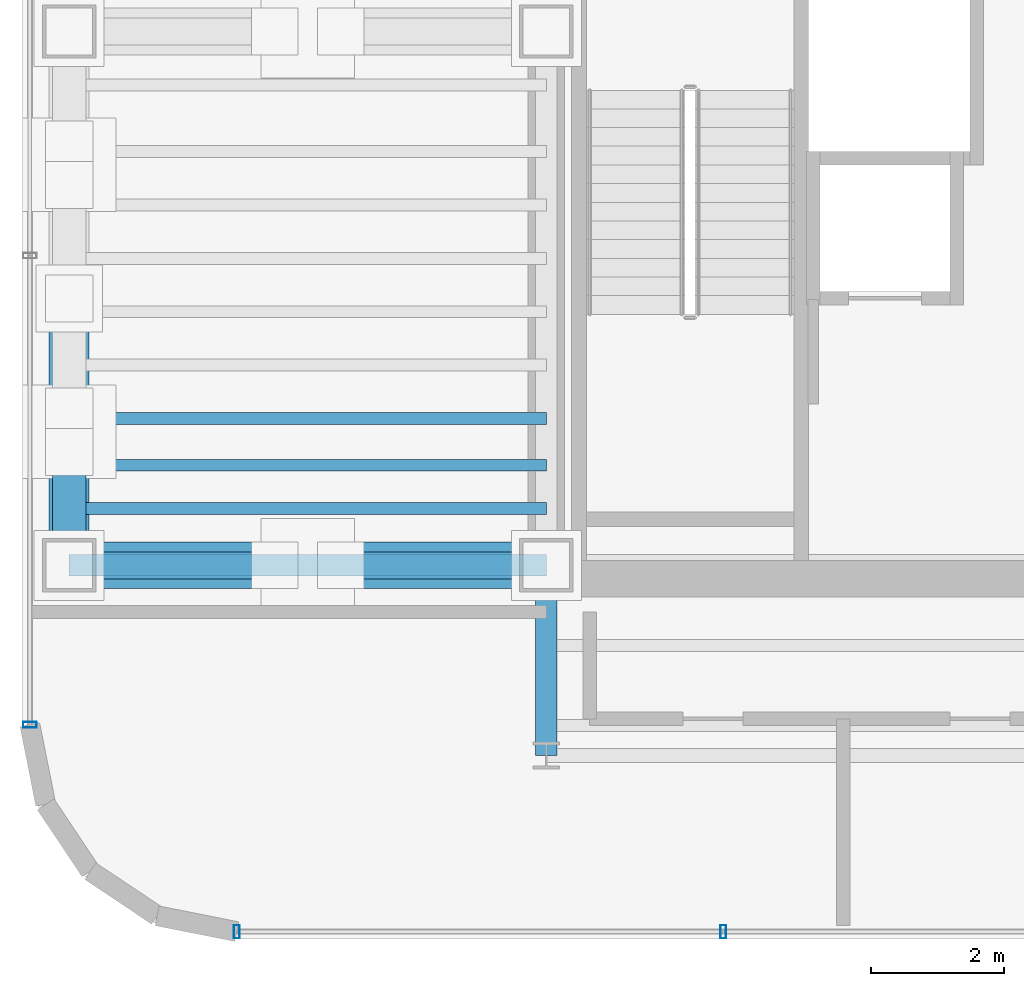
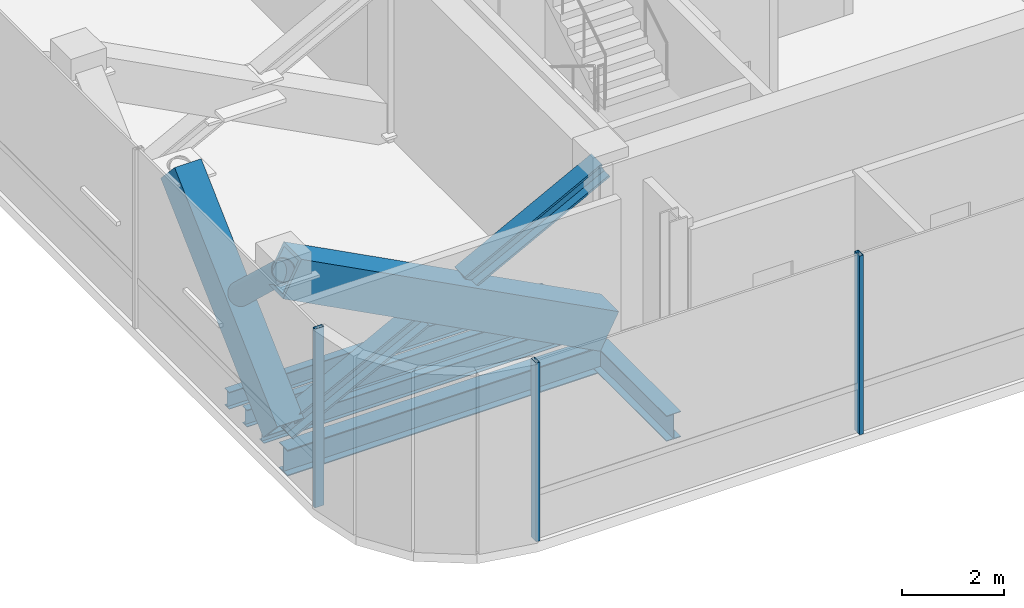
# One storey, part 2 of 19: 8 members, 5 beams, 2 elements without a shape of their own.
"""IFC4 building model written with IfcOpenShell, lengths in metres."""

from ifc_helpers import new_model, si_unit, direction, frame, origin, origin_2d, place, context, subcontext, project, spatial, hollow_rectangle, hollow_circle, i_section, extrude, source, transform, mapped, material, material_profile, profile_set, type_object, element, aggregate, save


model = new_model("IFC4")

# Units and contexts
model_context = context("Model", 3, precision=1e-05, world=origin(), true_north=direction((0.0, 1.0)))
body_context = subcontext(model_context, "Body", "Model", "MODEL_VIEW")
ifc_project = project(units=[si_unit("LENGTHUNIT", "METRE"), si_unit("AREAUNIT", "SQUARE_METRE"), si_unit("VOLUMEUNIT", "CUBIC_METRE"), si_unit("PLANEANGLEUNIT", "RADIAN"), si_unit("MASSUNIT", "GRAM", prefix="KILO")], contexts=[model_context])

# Site, building, storey
site_placement = place(None, origin())
site = spatial("IfcSite", under=ifc_project, at=site_placement, CompositionType="ELEMENT")
building_placement = place(site_placement, origin())
building = spatial("IfcBuilding", under=site, at=building_placement, Name="Valdorenza Pilgrim Sanctuary Tower", CompositionType="ELEMENT")
storey_placement = place(building_placement, frame((0.0, 0.0, 261.5)))
storey = spatial("IfcBuildingStorey", under=building, at=storey_placement, Name="L68", CompositionType="ELEMENT", Elevation=261.5)

# Beams
ifc_material_1 = material(Name="Steel ASTM A992 Grade 50", Category="steel")
ifc_material_profile_1 = material_profile(ifc_material_1, i_section(OverallWidth=0.323974609375, OverallDepth=0.611083984375, WebThickness=0.0126953125, FlangeThickness=0.01904296875, at=origin_2d()), Name="W24X104")
ifc_profile_set_1 = profile_set([ifc_material_profile_1], Name="Steel ASTM A992 Grade 50")
beam_type_1 = type_object("IfcBeamType", Name="STR-BM-GRD-W24B", PredefinedType="BEAM", material=ifc_profile_set_1)
shared_shape_1 = source(origin(), body_context, "Body", "SweptSolid", [
    extrude(i_section(OverallWidth=0.323974609375, OverallDepth=0.611083984375, WebThickness=0.0126953125, FlangeThickness=0.01904296875, at=origin_2d()), origin(), (0.0, 0.0, 1.0), 2.849853515625),
])
beam_1_placement = place(storey_placement, frame((-22.64990234375, -13.449951171875, -0.54541015625), z_axis=(0.0, 1.0, 0.0), x_axis=(-1.0, 0.0, 0.0)))
element("IfcBeam", 1, at=beam_1_placement, inside=storey, type_object=beam_type_1, Name="L68 Floor Girder WA-S-LW", PredefinedType="BEAM", context=body_context, shape_type="MappedRepresentation", body=[
    mapped(shared_shape_1, transform((0.0, 0.0, 0.0), x_axis=(1.0, 0.0, 0.0), y_axis=(0.0, 1.0, 0.0), z_axis=(0.0, 0.0, 1.0), scale=1.0)),
])
ifc_material_profile_2 = material_profile(ifc_material_1, i_section(OverallWidth=0.177978515625, OverallDepth=0.406005859375, WebThickness=0.0078125, FlangeThickness=0.0126953125, at=origin_2d()), Name="W16X40")
ifc_profile_set_2 = profile_set([ifc_material_profile_2], Name="Steel ASTM A992 Grade 50")
beam_type_2 = type_object("IfcBeamType", Name="STR-BM-JST-W16", PredefinedType="JOIST", material=ifc_profile_set_2)
shared_shape_2 = source(origin(), body_context, "Body", "SweptSolid", [
    extrude(i_section(OverallWidth=0.177978515625, OverallDepth=0.406005859375, WebThickness=0.0078125, FlangeThickness=0.0126953125, at=origin_2d()), origin(), (0.0, 0.0, 1.0), 7.150146484375),
])
for number, where, z_axis, x_axis, name in (
    (2, (-29.800048828125, -9.75, -0.443115234375), (1.0, 0.0, 0.0), (0.0, 1.0, 0.0), "L68 Composite Floor Joist JST-WA-1"),
    (3, (-29.800048828125, -9.10009765625, -0.443115234375), (1.0, 0.0, 0.0), (0.0, 1.0, 0.0), "L68 Composite Floor Joist JST-WA-2"),
    (4, (-29.800048828125, -8.39990234375, -0.443115234375), (1.0, 0.0, 0.0), (0.0, 1.0, 0.0), "L68 Composite Floor Joist JST-WA-3"),
):
    element("IfcBeam", number, at=place(storey_placement, frame(where, z_axis=z_axis, x_axis=x_axis)), inside=storey, type_object=beam_type_2, Name=name, PredefinedType="JOIST", context=body_context, shape_type="MappedRepresentation", body=[
        mapped(shared_shape_2, transform((0.0, 0.0, 0.0), x_axis=(1.0, 0.0, 0.0), y_axis=(0.0, 1.0, 0.0), z_axis=(0.0, 0.0, 1.0), scale=1.0)),
    ])
ifc_material_profile_3 = material_profile(ifc_material_1, i_section(OverallWidth=0.326904296875, OverallDepth=0.6220703125, WebThickness=0.015380859375, FlangeThickness=0.0244140625, at=origin_2d()), Name="W24X131")
ifc_profile_set_3 = profile_set([ifc_material_profile_3], Name="Steel ASTM A992 Grade 50")
beam_type_3 = type_object("IfcBeamType", Name="STR-BM-GRD-W24A", PredefinedType="BEAM", material=ifc_profile_set_3)
shared_shape_3 = source(origin(), body_context, "Body", "SweptSolid", [
    extrude(i_section(OverallWidth=0.326904296875, OverallDepth=0.6220703125, WebThickness=0.015380859375, FlangeThickness=0.0244140625, at=origin_2d()), origin(), (0.0, 0.0, 1.0), 7.150146484375),
])
beam_2_placement = place(storey_placement, frame((-29.800048828125, -10.60009765625, -0.551025390625), z_axis=(1.0, 0.0, 0.0), x_axis=(0.0, 1.0, 0.0)))
element("IfcBeam", 5, at=beam_2_placement, inside=storey, type_object=beam_type_3, Name="L68 Floor Girder WA-XW-S1", PredefinedType="BEAM", context=body_context, shape_type="MappedRepresentation", body=[
    mapped(shared_shape_3, transform((0.0, 0.0, 0.0), x_axis=(1.0, 0.0, 0.0), y_axis=(0.0, 1.0, 0.0), z_axis=(0.0, 0.0, 1.0), scale=1.0)),
])

# Members
ifc_material_2 = material(Name="Steel ASTM A572 Grade 42", Category="steel")
ifc_material_profile_4 = material_profile(ifc_material_2, hollow_rectangle(XDim=0.699951171875, YDim=0.89990234375, WallThickness=0.070068359375, at=origin_2d()), Name="BOX 900x700x70")
ifc_profile_set_4 = profile_set([ifc_material_profile_4], Name="Steel ASTM A572 Grade 42")
member_type_1 = type_object("IfcMemberType", Name="STR-MB-OUT-BOX900", PredefinedType="BRACE", material=ifc_profile_set_4)
shared_shape_4 = source(origin(), body_context, "Body", "SweptSolid", [
    extrude(hollow_rectangle(XDim=0.699951171875, YDim=0.89990234375, WallThickness=0.070068359375, at=origin_2d()), origin(), (0.0, 0.0, 1.0), 8.07373046875),
])
member_1_placement = place(storey_placement, frame((-22.64990234375, -10.60009765625, 0.199951171875), z_axis=(-0.885592900523, 0.0, 0.464462285384), x_axis=(0.0, -1.0, 0.0)))
element("IfcMember", 6, at=member_1_placement, inside=storey, type_object=member_type_1, Name="L68 Outrigger Truss Diagonal WA1A", PredefinedType="BRACE", context=body_context, shape_type="MappedRepresentation", body=[
    mapped(shared_shape_4, transform((0.0, 0.0, 0.0), x_axis=(1.0, 0.0, 0.0), y_axis=(0.0, 1.0, 0.0), z_axis=(0.0, 0.0, 1.0), scale=1.0)),
])
ifc_material_profile_5 = material_profile(ifc_material_1, i_section(OverallWidth=0.406005859375, OverallDepth=0.416015625, WebThickness=0.02978515625, FlangeThickness=0.048095703125, at=origin_2d()), Name="W14X257")
ifc_profile_set_5 = profile_set([ifc_material_profile_5], Name="Steel ASTM A992 Grade 50")
member_type_2 = type_object("IfcMemberType", Name="STR-MB-OUT-W257", PredefinedType="BRACE", material=ifc_profile_set_5)
shared_shape_5 = source(origin(), body_context, "Body", "SweptSolid", [
    extrude(i_section(OverallWidth=0.406005859375, OverallDepth=0.416015625, WebThickness=0.02978515625, FlangeThickness=0.048095703125, at=origin_2d()), origin(), (0.0, 0.0, 1.0), 3.47802734375),
])
for number, where, z_axis, x_axis, name in (
    (7, (-22.64990234375, -10.60009765625, 3.949951171875), (-0.885611600289, 0.0, -0.464426628687), (0.0, -1.0, 0.0), "L68 Outrigger Truss Counter-Diagonal WA1B Lower Segment"),
    (8, (-26.719970703125, -10.60009765625, 1.8154296875), (-0.885582727176, 0.0, -0.464481682445), (0.0, -1.0, 0.0), "L68 Outrigger Truss Counter-Diagonal WA1B Upper Segment"),
):
    element("IfcMember", number, at=place(storey_placement, frame(where, z_axis=z_axis, x_axis=x_axis)), inside=storey, type_object=member_type_2, Name=name, PredefinedType="BRACE", context=body_context, shape_type="MappedRepresentation", body=[
        mapped(shared_shape_5, transform((0.0, 0.0, 0.0), x_axis=(1.0, 0.0, 0.0), y_axis=(0.0, 1.0, 0.0), z_axis=(0.0, 0.0, 1.0), scale=1.0)),
    ])
ifc_material_profile_6 = material_profile(ifc_material_2, hollow_rectangle(XDim=0.60009765625, YDim=0.800048828125, WallThickness=0.06005859375, at=origin_2d()), Name="BOX 800x600x60")
ifc_profile_set_6 = profile_set([ifc_material_profile_6], Name="Steel ASTM A572 Grade 42")
member_type_3 = type_object("IfcMemberType", Name="STR-MB-BLT-BOX800", PredefinedType="BRACE", material=ifc_profile_set_6)
shared_shape_6 = source(origin(), body_context, "Body", "SweptSolid", [
    extrude(hollow_rectangle(XDim=0.60009765625, YDim=0.800048828125, WallThickness=0.06005859375, at=origin_2d()), origin(), (0.0, 0.0, 1.0), 5.48291015625),
])
member_2_placement = place(storey_placement, frame((-29.800048828125, -10.60009765625, 0.199951171875), z_axis=(0.0, 0.72953720414, 0.683941128881), x_axis=(-1.0, 0.0, 0.0)))
element("IfcMember", 9, at=member_2_placement, inside=storey, type_object=member_type_3, Name="L68 Perimeter Belt Truss Diagonal W1", PredefinedType="BRACE", context=body_context, shape_type="MappedRepresentation", body=[
    mapped(shared_shape_6, transform((0.0, 0.0, 0.0), x_axis=(1.0, 0.0, 0.0), y_axis=(0.0, 1.0, 0.0), z_axis=(0.0, 0.0, 1.0), scale=1.0)),
])
ifc_material_3 = material(Name="Steel S355J2", Category="steel")
ifc_material_profile_7 = material_profile(ifc_material_3, hollow_circle(Radius=0.25390625, WallThickness=0.02001953125, at=origin_2d()), Name="CHS 508x20")
ifc_profile_set_7 = profile_set([ifc_material_profile_7], Name="Steel S355J2")
member_type_4 = type_object("IfcMemberType", Name="STR-MB-CHS-508", PredefinedType="STRUT", material=ifc_profile_set_7)
shared_shape_7 = source(origin(), body_context, "Body", "SweptSolid", [
    extrude(hollow_circle(Radius=0.25390625, WallThickness=0.02001953125, at=origin_2d()), origin(), (0.0, 0.0, 1.0), 2.32861328125),
])
member_3_placement = place(storey_placement, frame((-29.800048828125, -10.60009765625, 3.949951171875), z_axis=(0.0, 0.729592783043, -0.68388183989), x_axis=(-1.0, 0.0, 0.0)))
element("IfcMember", 10, at=member_3_placement, inside=storey, type_object=member_type_4, Name="L68 Perimeter Counter-Belt Strut CW1 Lower Segment", PredefinedType="STRUT", context=body_context, shape_type="MappedRepresentation", body=[
    mapped(shared_shape_7, transform((0.0, 0.0, 0.0), x_axis=(1.0, 0.0, 0.0), y_axis=(0.0, 1.0, 0.0), z_axis=(0.0, 0.0, 1.0), scale=1.0)),
])

# Curtain wall, member
ifc_material_4 = material(Name="Curtain-wall IGU glazing", Category="glass")
curtain_wall_type = type_object("IfcCurtainWallType", Name="CW-SYS-02", PredefinedType="NOTDEFINED", material=ifc_material_4)
curtain_wall_1_placement = place(storey_placement, origin())
curtain_wall_1 = element("IfcCurtainWall", 11, at=curtain_wall_1_placement, inside=storey, type_object=curtain_wall_type, Name="L68 Curtain Wall CW-L68-1-1", PredefinedType="NOTDEFINED")
ifc_material_5 = material(Name="Anodised aluminium AW-6060", Category="aluminium")
ifc_material_profile_8 = material_profile(ifc_material_5, hollow_rectangle(XDim=0.0849609375, YDim=0.199951171875, WallThickness=0.0048828125, at=origin_2d()), Name="ALU-M 200x85x5")
ifc_profile_set_8 = profile_set([ifc_material_profile_8], Name="Anodised aluminium AW-6060")
member_type_5 = type_object("IfcMemberType", Name="CW-MUL-02", PredefinedType="MULLION", material=ifc_profile_set_8)
shared_shape_8 = source(origin(), body_context, "Body", "SweptSolid", [
    extrude(hollow_rectangle(XDim=0.0849609375, YDim=0.199951171875, WallThickness=0.0048828125, at=origin_2d()), origin(), (0.0, 0.0, 1.0), 4.260009765625),
])
member_4_placement = place(storey_placement, frame((-30.389892578125, -12.9892578125, 0.0), z_axis=(0.0, 0.0, 1.0), x_axis=(0.0, 1.0, 0.0)))
member_4 = element("IfcMember", 12, at=member_4_placement, type_object=member_type_5, Name="CW-L68-1-1 Mullion 1", PredefinedType="MULLION", context=body_context, shape_type="MappedRepresentation", body=[
    mapped(shared_shape_8, transform((0.0, 0.0, 0.0), x_axis=(1.0, 0.0, 0.0), y_axis=(0.0, 1.0, 0.0), z_axis=(0.0, 0.0, 1.0), scale=1.0)),
])
aggregate(curtain_wall_1, [member_4])

# Curtain wall, members
curtain_wall_2_placement = place(storey_placement, origin())
curtain_wall_2 = element("IfcCurtainWall", 13, at=curtain_wall_2_placement, inside=storey, type_object=curtain_wall_type, Name="L68 Curtain Wall CW-L68-1-26", PredefinedType="NOTDEFINED")
member_5_placement = place(storey_placement, frame((-20.0, -16.090087890625, 0.0), z_axis=(0.0, 0.0, 1.0), x_axis=(-1.0, 0.0, 0.0)))
member_5 = element("IfcMember", 14, at=member_5_placement, type_object=member_type_5, Name="CW-L68-1-26 Mullion 2", PredefinedType="MULLION", context=body_context, shape_type="MappedRepresentation", body=[
    mapped(shared_shape_8, transform((0.0, 0.0, 0.0), x_axis=(1.0, 0.0, 0.0), y_axis=(0.0, 1.0, 0.0), z_axis=(0.0, 0.0, 1.0), scale=1.0)),
])
member_6_placement = place(storey_placement, frame((-27.289306640625, -16.090087890625, 0.0), z_axis=(0.0, 0.0, 1.0), x_axis=(-1.0, 0.0, 0.0)))
member_6 = element("IfcMember", 15, at=member_6_placement, type_object=member_type_5, Name="CW-L68-1-26 Mullion 3", PredefinedType="MULLION", context=body_context, shape_type="MappedRepresentation", body=[
    mapped(shared_shape_8, transform((0.0, 0.0, 0.0), x_axis=(1.0, 0.0, 0.0), y_axis=(0.0, 1.0, 0.0), z_axis=(0.0, 0.0, 1.0), scale=1.0)),
])
aggregate(curtain_wall_2, [member_5, member_6])

save(model, "model.ifc")
